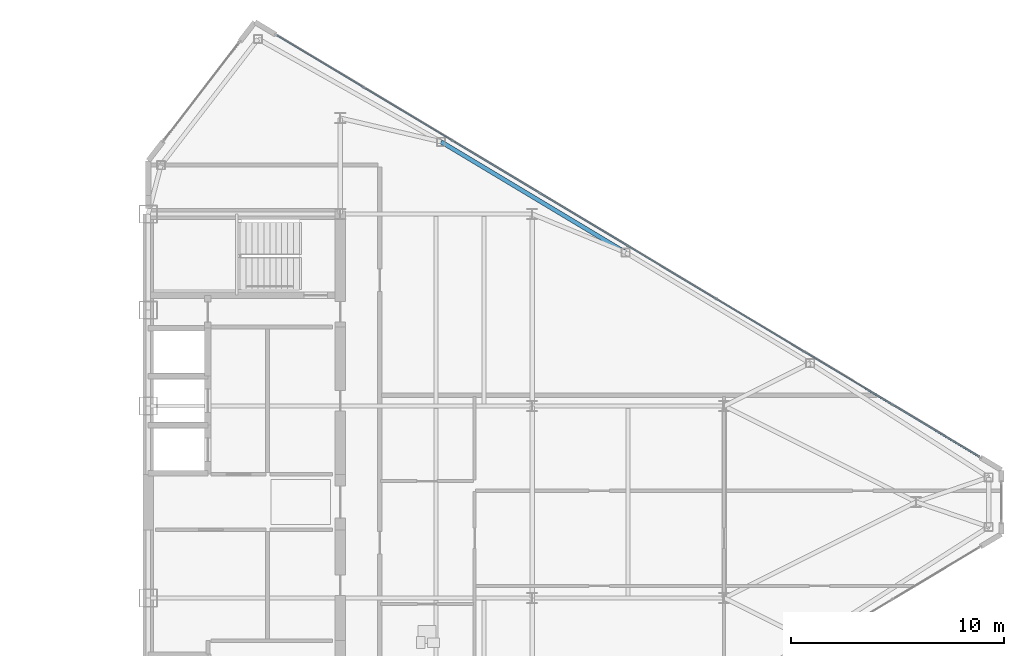
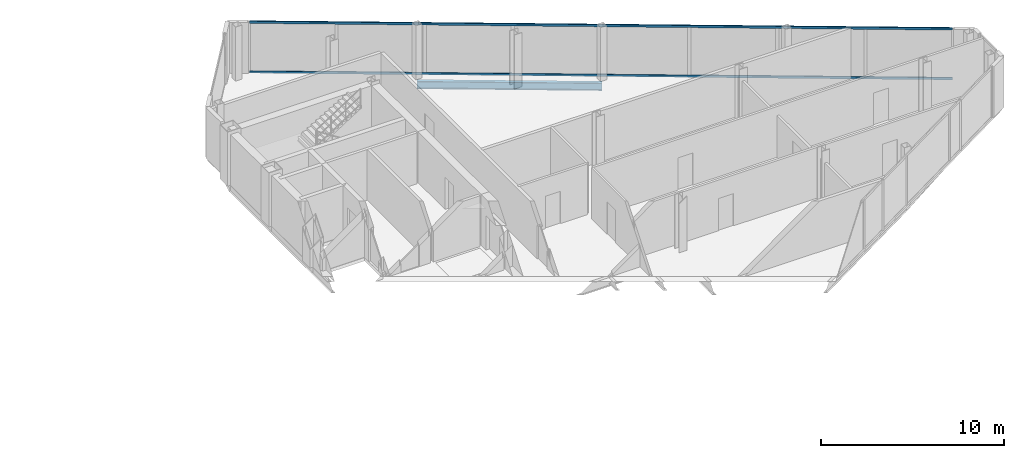
# One storey, part 16 of 25: 2 members, 1 beam, 1 element without a shape of its own.
"""IFC4 building model written with IfcOpenShell, lengths in metres."""

from ifc_helpers import new_model, si_unit, direction, frame, origin, origin_2d, place, context, subcontext, project, spatial, rectangle, i_section, extrude, source, transform, mapped, material, layer, layer_set, material_profile, profile_set, type_object, type_shapes, element, aggregate, save


model = new_model("IFC4")

# Units and contexts
model_context = context("Model", 3, precision=1e-05, world=origin(), true_north=direction((0.0, 1.0)))
body_context = subcontext(model_context, "Body", "Model", "MODEL_VIEW")
ifc_project = project(units=[si_unit("LENGTHUNIT", "METRE"), si_unit("AREAUNIT", "SQUARE_METRE"), si_unit("VOLUMEUNIT", "CUBIC_METRE"), si_unit("PLANEANGLEUNIT", "RADIAN"), si_unit("MASSUNIT", "GRAM", prefix="KILO")], contexts=[model_context])

# Site, building, storey
site_placement = place(None, origin())
site = spatial("IfcSite", under=ifc_project, at=site_placement, CompositionType="ELEMENT")
building_placement = place(site_placement, origin())
building = spatial("IfcBuilding", under=site, at=building_placement, Name="Seokmaru Belvedere", CompositionType="ELEMENT")
storey_placement = place(building_placement, frame((0.0, 0.0, 217.5)))
storey = spatial("IfcBuildingStorey", under=building, at=storey_placement, Name="L58", CompositionType="ELEMENT", Elevation=217.5)

# Beam
ifc_material_1 = material(Name="Steel SM355 (355 MPa)", Category="steel")
ifc_material_profile_1 = material_profile(ifc_material_1, i_section(OverallWidth=0.199951171875, OverallDepth=0.5, WebThickness=0.010009765625, FlangeThickness=0.01611328125, at=origin_2d()), Name="H-500x200x10x16")
ifc_profile_set_1 = profile_set([ifc_material_profile_1], Name="Steel SM355 (355 MPa)")
beam_type = type_object("IfcBeamType", Name="Perimeter Spandrel Beam H-500", PredefinedType="SPANDREL", material=ifc_profile_set_1)
shared_shape_1 = source(origin(), body_context, "Body", "SweptSolid", [
    extrude(i_section(OverallWidth=0.199951171875, OverallDepth=0.5, WebThickness=0.010009765625, FlangeThickness=0.01611328125, at=origin_2d()), origin(), (0.0, 0.0, 1.0), 10.087646484375),
])
type_shapes(beam_type, [shared_shape_1])
beam_placement = place(storey_placement, frame((41.229736328125, 16.888916015625, -0.469970703125), z_axis=(0.857499332045, -0.514485078056, 0.0), x_axis=(0.514485078056, 0.857499332045, 0.0)))
element("IfcBeam", 1, at=beam_placement, inside=storey, type_object=beam_type, Name="L58 E Faceted Flank Spandrel N-2", PredefinedType="SPANDREL", context=body_context, shape_type="MappedRepresentation", body=[
    mapped(shared_shape_1, transform((0.0, 0.0, 0.0), scale=1.0)),
])

# Curtain wall, members
ifc_material_2 = material(Name="Bronze Triple Insulating Glass", Category="glass")
ifc_layer = layer(ifc_material_2, 0.179931640625)
ifc_layer_set = layer_set([ifc_layer], Name="Bronze Triple Insulating Glass")
curtain_wall_type = type_object("IfcCurtainWallType", Name="High-Rise Wind-Corner Curtain Wall System CW-5", PredefinedType="NOTDEFINED", material=ifc_layer_set)
curtain_wall_placement = place(storey_placement, origin())
curtain_wall = element("IfcCurtainWall", 2, at=curtain_wall_placement, inside=storey, type_object=curtain_wall_type, Name="L58 Curtain Wall EF3", PredefinedType="NOTDEFINED")
ifc_material_3 = material(Name="Anodised Bronze Aluminium", Category="aluminium")
ifc_material_profile_2 = material_profile(ifc_material_3, rectangle(XDim=0.06494140625, YDim=0.14990234375, at=origin_2d()), Name="CW-T-65x150")
ifc_profile_set_2 = profile_set([ifc_material_profile_2], Name="Anodised Bronze Aluminium")
member_type = type_object("IfcMemberType", Name="Bronze Unitised Transom 65x150", PredefinedType="USERDEFINED", material=ifc_profile_set_2)
shared_shape_2 = source(origin(), body_context, "Body", "SweptSolid", [
    extrude(rectangle(XDim=0.06494140625, YDim=0.14990234375, at=origin_2d()), origin(), (0.0, 0.0, 1.0), 38.386962890625),
])
type_shapes(member_type, [shared_shape_2])
member_1_placement = place(storey_placement, frame((66.458251953125, 2.125, 0.032470703125), z_axis=(-0.85749180336, 0.514497626011, 0.0), x_axis=(-0.514497626011, -0.85749180336, 0.0)))
member_1 = element("IfcMember", 3, at=member_1_placement, type_object=member_type, Name="CW:L58:EF3 Continuous Transom 1", ObjectType="TRANSOM", PredefinedType="USERDEFINED", context=body_context, shape_type="MappedRepresentation", body=[
    mapped(shared_shape_2, transform((0.0, 0.0, 0.0), scale=1.0)),
])
member_2_placement = place(storey_placement, frame((66.458251953125, 2.125, 3.347412109375), z_axis=(-0.85749180336, 0.514497626011, 0.0), x_axis=(-0.514497626011, -0.85749180336, 0.0)))
member_2 = element("IfcMember", 4, at=member_2_placement, type_object=member_type, Name="CW:L58:EF3 Continuous Transom 2", ObjectType="TRANSOM", PredefinedType="USERDEFINED", context=body_context, shape_type="MappedRepresentation", body=[
    mapped(shared_shape_2, transform((0.0, 0.0, 0.0), scale=1.0)),
])
aggregate(curtain_wall, [member_1, member_2])

save(model, "model.ifc")
